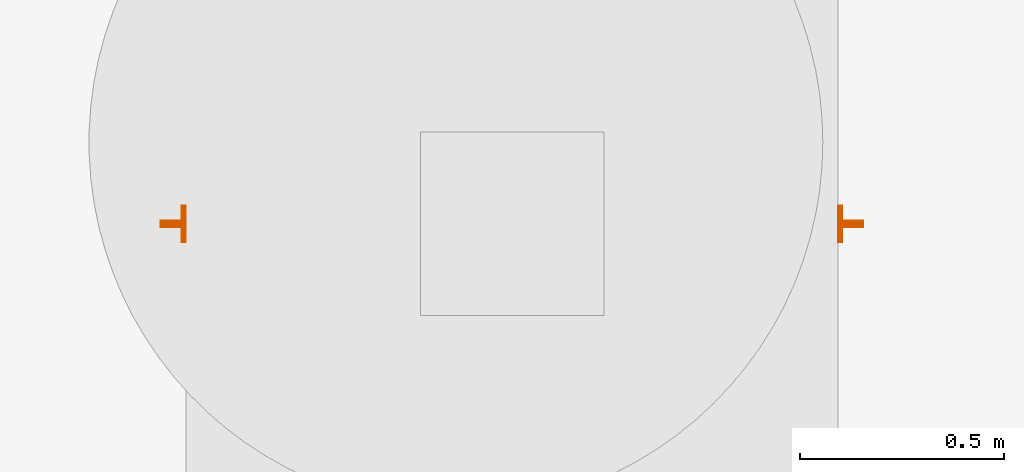
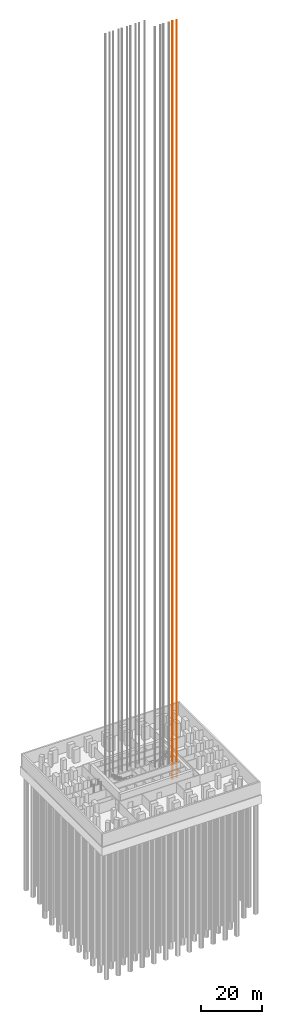
# One storey, part 16 of 17: 1 proxy.
"""IFC4 building model written with IfcOpenShell, lengths in metres."""

from ifc_helpers import new_model, si_unit, direction, frame, origin, origin_2d, place, context, subcontext, project, spatial, t_section, extrude, material, type_object, element, save


model = new_model("IFC4")

# Units and contexts
model_context = context("Model", 3, precision=1e-05, world=origin(), true_north=direction((0.0, 1.0)))
body_context = subcontext(model_context, "Body", "Model", "MODEL_VIEW")
ifc_project = project(units=[si_unit("LENGTHUNIT", "METRE"), si_unit("AREAUNIT", "SQUARE_METRE"), si_unit("VOLUMEUNIT", "CUBIC_METRE"), si_unit("PLANEANGLEUNIT", "RADIAN"), si_unit("MASSUNIT", "GRAM", prefix="KILO")], contexts=[model_context])

# Site, building, storey
site_placement = place(None, origin())
site = spatial("IfcSite", under=ifc_project, at=site_placement, CompositionType="ELEMENT")
building_placement = place(site_placement, origin())
building = spatial("IfcBuilding", under=site, at=building_placement, Name="Cobogo Forest Laboratory Tower", CompositionType="ELEMENT")
storey_placement = place(building_placement, frame((0.0, 0.0, -5.39990234375)))
storey = spatial("IfcBuildingStorey", under=building, at=storey_placement, Name="L-01", CompositionType="ELEMENT", Elevation=-5.39990234375)

# Proxy
ifc_material = material(Name="Steel guide rail", Category="steel")
building_element_proxy_type = type_object("IfcBuildingElementProxyType", Name="LR lift guide rails", PredefinedType="USERDEFINED", material=ifc_material)
proxy_placement = place(storey_placement, frame((37.78759765625, 20.64990234375, 0.0)))
element("IfcBuildingElementProxy", 1, at=proxy_placement, inside=storey, type_object=building_element_proxy_type, Name="FL2 guide rails", ObjectType="LIFT GUIDE RAILS", PredefinedType="USERDEFINED", context=body_context, shape_type="SweptSolid", body=[
    extrude(t_section(Depth=0.062, FlangeWidth=0.089, WebThickness=0.0159, FlangeThickness=0.01, at=origin_2d()), frame((-0.8310546875, 0.0, -1.60009765625), z_axis=(0.0, 0.0, 1.0), x_axis=(0.0, -1.0, 0.0)), (0.0, 0.0, 1.0), 303.800048828125),
    extrude(t_section(Depth=0.062, FlangeWidth=0.089, WebThickness=0.0159, FlangeThickness=0.01, at=origin_2d()), frame((0.830810546875, 0.0, -1.60009765625), z_axis=(0.0, 0.0, 1.0), x_axis=(0.0, 1.0, 0.0)), (0.0, 0.0, 1.0), 303.800048828125),
])

save(model, "model.ifc")
